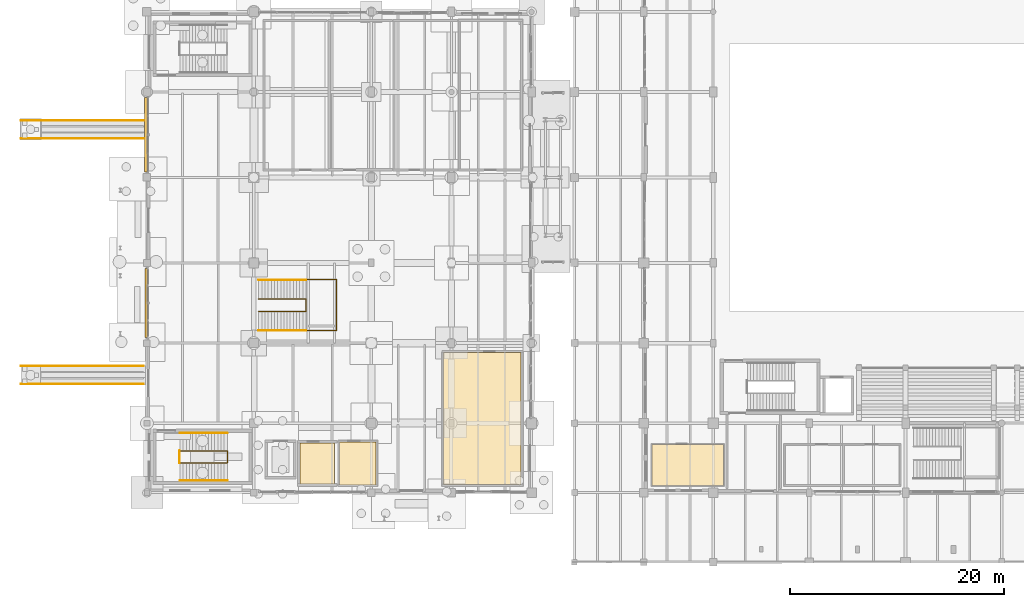
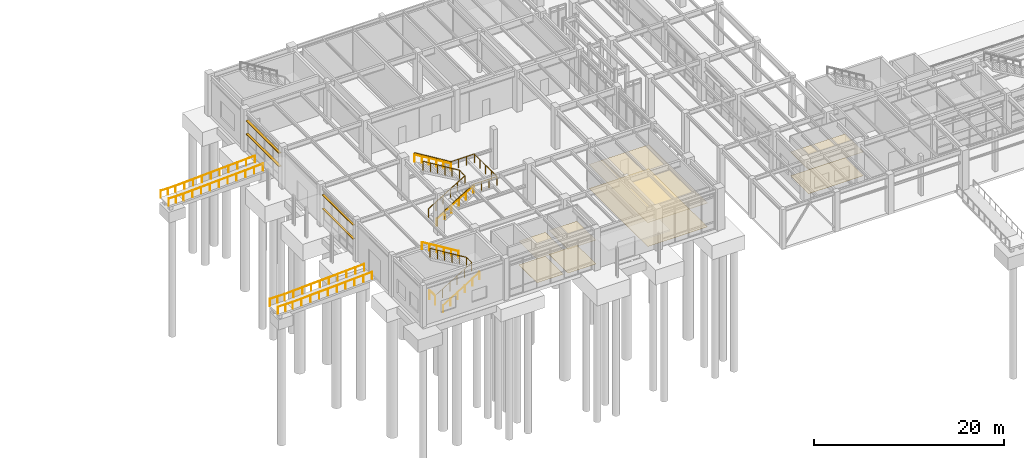
# One storey, part 194 of 203: 12 railings, 8 coverings, 4 shading devices.
"""IFC4 building model written with IfcOpenShell, lengths in metres."""

from ifc_helpers import new_model, si_unit, direction, frame, origin, origin_2d, place, context, subcontext, project, spatial, polyline, rectangle, circle, outline, extrude, material, layer, layer_set, type_object, element, save


model = new_model("IFC4")

# Units and contexts
model_context = context("Model", 3, precision=1e-05, world=origin(), true_north=direction((0.0, 1.0)))
body_context = subcontext(model_context, "Body", "Model", "MODEL_VIEW")
ifc_project = project(units=[si_unit("LENGTHUNIT", "METRE"), si_unit("AREAUNIT", "SQUARE_METRE"), si_unit("VOLUMEUNIT", "CUBIC_METRE"), si_unit("PLANEANGLEUNIT", "RADIAN"), si_unit("MASSUNIT", "GRAM", prefix="KILO"), si_unit("THERMODYNAMICTEMPERATUREUNIT", "KELVIN"), si_unit("POWERUNIT", "WATT")], contexts=[model_context])

# Site, building, storey
site_placement = place(None, origin())
site = spatial("IfcSite", under=ifc_project, at=site_placement, CompositionType="ELEMENT")
building_placement = place(site_placement, origin())
building = spatial("IfcBuilding", under=site, at=building_placement, Name="Tepalcoro Natatorium and Aquatics Centre", CompositionType="ELEMENT")
storey_placement = place(building_placement, origin())
storey = spatial("IfcBuildingStorey", under=building, at=storey_placement, Name="L00", CompositionType="ELEMENT", Elevation=0.0)

# Coverings
ifc_material_1 = material(Name="Perforated Corrosion-Resistant Acoustic Aluminium Baffle Ceiling", Category="aluminium")
ifc_layer_1 = layer(ifc_material_1, 0.044921875)
ifc_layer_set_1 = layer_set([ifc_layer_1], Name="Perforated Corrosion-Resistant Acoustic Aluminium Baffle Ceiling")
covering_type_1 = type_object("IfcCoveringType", Name="CL_BAFFLE_120", PredefinedType="CEILING", material=ifc_layer_set_1)
covering_1_placement = place(storey_placement, frame((0.0, 0.0, 3.050048828125)))
element("IfcCovering", 1, at=covering_1_placement, inside=storey, type_object=covering_type_1, Name="Aquatics Retail Pro-Shop Suspended Ceiling", PredefinedType="CEILING", context=body_context, shape_type="SweptSolid", body=[
    extrude(outline(polyline([(27.77001953125, 7.27001953125), (27.77001953125, 19.6298828125), (35.030029296875, 19.6298828125), (35.030029296875, 7.27001953125), (27.77001953125, 7.27001953125)])), origin(), (0.0, 0.0, 1.0), 0.044921875),
])
ifc_material_2 = material(Name="Moisture-Resistant Acoustic Gypsum Drywall on Cold-Formed Metal Studs")
ifc_layer_2 = layer(ifc_material_2, 0.030029296875)
ifc_layer_set_2 = layer_set([ifc_layer_2], Name="Moisture-Resistant Acoustic Gypsum Drywall on Cold-Formed Metal Studs")
covering_type_2 = type_object("IfcCoveringType", Name="CL_GYPSUM_30", PredefinedType="CEILING", material=ifc_layer_set_2)
covering_2_placement = place(storey_placement, frame((0.0, 0.0, 3.050048828125)))
element("IfcCovering", 2, at=covering_2_placement, inside=storey, type_object=covering_type_2, Name="Fire Command Room Suspended Ceiling", PredefinedType="CEILING", context=body_context, shape_type="SweptSolid", body=[
    extrude(outline(polyline([(14.3349609375, 7.3349609375), (14.3349609375, 11.1650390625), (17.56494140625, 11.1650390625), (17.56494140625, 7.3349609375), (14.3349609375, 7.3349609375)])), origin(), (0.0, 0.0, 1.0), 0.030029296875),
])
ifc_layer_3 = layer(ifc_material_1, 0.0400390625)
ifc_layer_set_3 = layer_set([ifc_layer_3], Name="Perforated Corrosion-Resistant Acoustic Aluminium Baffle Ceiling")
covering_type_3 = type_object("IfcCoveringType", Name="CL_PERF_AL_40", PredefinedType="CEILING", material=ifc_layer_set_3)
covering_3_placement = place(storey_placement, frame((0.0, 0.0, 3.050048828125)))
element("IfcCovering", 3, at=covering_3_placement, inside=storey, type_object=covering_type_3, Name="World Aquatics Swimmer Call Room & Ready Suite Suspended Ceiling", PredefinedType="CEILING", context=body_context, shape_type="SweptSolid", body=[
    extrude(outline(polyline([(47.2900390625, 7.18994140625), (47.2900390625, 11.010009765625), (53.9599609375, 11.010009765625), (53.9599609375, 7.18994140625), (47.2900390625, 7.18994140625)])), origin(), (0.0, 0.0, 1.0), 0.0400390625),
])
covering_4_placement = place(storey_placement, frame((0.0, 0.0, 3.050048828125)))
element("IfcCovering", 4, at=covering_4_placement, inside=storey, type_object=covering_type_3, Name="Civic Box Office, Accreditation & Reception Suspended Ceiling", PredefinedType="CEILING", context=body_context, shape_type="SweptSolid", body=[
    extrude(outline(polyline([(18.0400390625, 7.239990234375), (18.0400390625, 11.260009765625), (21.4599609375, 11.260009765625), (21.4599609375, 7.239990234375), (18.0400390625, 7.239990234375)])), origin(), (0.0, 0.0, 1.0), 0.0400390625),
])
ifc_material_3 = material(Name="Shock-Absorbing Vulcanised Athletic Rubber Flooring")
ifc_layer_4 = layer(ifc_material_3, 0.010009765625)
ifc_layer_set_4 = layer_set([ifc_layer_4], Name="Shock-Absorbing Vulcanised Athletic Rubber Flooring")
covering_type_4 = type_object("IfcCoveringType", Name="FL_CARPET_10", PredefinedType="FLOORING", material=ifc_layer_set_4)
covering_5_placement = place(storey_placement, origin())
element("IfcCovering", 5, at=covering_5_placement, inside=storey, type_object=covering_type_4, Name="Civic Box Office, Accreditation & Reception Floor Finish", PredefinedType="FLOORING", context=body_context, shape_type="SweptSolid", body=[
    extrude(outline(polyline([(18.0400390625, 7.239990234375), (18.0400390625, 11.260009765625), (21.4599609375, 11.260009765625), (21.4599609375, 7.239990234375), (18.0400390625, 7.239990234375)])), origin(), (0.0, 0.0, 1.0), 0.010009765625),
])
ifc_material_4 = material(Name="Slip-Resistant Porcelain Aquatic Deck Tile")
ifc_layer_5 = layer(ifc_material_4, 0.02197265625)
ifc_layer_set_5 = layer_set([ifc_layer_5], Name="Slip-Resistant Porcelain Aquatic Deck Tile")
covering_type_5 = type_object("IfcCoveringType", Name="FL_DECK_TILE_22", PredefinedType="FLOORING", material=ifc_layer_set_5)
covering_6_placement = place(storey_placement, origin())
element("IfcCovering", 6, at=covering_6_placement, inside=storey, type_object=covering_type_5, Name="World Aquatics Swimmer Call Room & Ready Suite Floor Finish", PredefinedType="FLOORING", context=body_context, shape_type="SweptSolid", body=[
    extrude(outline(polyline([(47.2900390625, 7.18994140625), (47.2900390625, 11.010009765625), (53.9599609375, 11.010009765625), (53.9599609375, 7.18994140625), (47.2900390625, 7.18994140625)])), origin(), (0.0, 0.0, 1.0), 0.02197265625),
])
ifc_material_5 = material(Name="Chemical-Resistant Quartz-Broadcast Epoxy Flooring")
ifc_layer_6 = layer(ifc_material_5, 0.008056640625)
ifc_layer_set_6 = layer_set([ifc_layer_6], Name="Chemical-Resistant Quartz-Broadcast Epoxy Flooring")
covering_type_6 = type_object("IfcCoveringType", Name="FL_EPOXY_8", PredefinedType="FLOORING", material=ifc_layer_set_6)
covering_7_placement = place(storey_placement, origin())
element("IfcCovering", 7, at=covering_7_placement, inside=storey, type_object=covering_type_6, Name="Fire Command Room Floor Finish", PredefinedType="FLOORING", context=body_context, shape_type="SweptSolid", body=[
    extrude(outline(polyline([(14.3349609375, 7.3349609375), (14.3349609375, 11.1650390625), (17.56494140625, 11.1650390625), (17.56494140625, 7.3349609375), (14.3349609375, 7.3349609375)])), origin(), (0.0, 0.0, 1.0), 0.008056640625),
])
ifc_layer_7 = layer(ifc_material_3, 0.011962890625)
ifc_layer_set_7 = layer_set([ifc_layer_7], Name="Shock-Absorbing Vulcanised Athletic Rubber Flooring")
covering_type_7 = type_object("IfcCoveringType", Name="FL_RUBBER_12", PredefinedType="FLOORING", material=ifc_layer_set_7)
covering_8_placement = place(storey_placement, origin())
element("IfcCovering", 8, at=covering_8_placement, inside=storey, type_object=covering_type_7, Name="Aquatics Retail Pro-Shop Floor Finish", PredefinedType="FLOORING", context=body_context, shape_type="SweptSolid", body=[
    extrude(outline(polyline([(27.77001953125, 7.27001953125), (27.77001953125, 19.6298828125), (35.030029296875, 19.6298828125), (35.030029296875, 7.27001953125), (27.77001953125, 7.27001953125)])), origin(), (0.0, 0.0, 1.0), 0.011962890625),
])

# Railings
ifc_material_6 = material(Name="Bronze-Anodised Extruded Aluminium Alloy EN AW-6063 T6", Category="aluminium")
railing_type_1 = type_object("IfcRailingType", Name="RL_HAND_900_BRZ", PredefinedType="HANDRAIL", material=ifc_material_6)
railing_1_placement = place(storey_placement, frame((-11.800048828125, 39.659912109375, -0.47998046875)))
element("IfcRailing", 9, at=railing_1_placement, inside=storey, type_object=railing_type_1, Name="RMP02 Accessible Ramp Handrail L", PredefinedType="HANDRAIL", context=body_context, shape_type="SweptSolid", body=[
    extrude(circle(Radius=0.02392578125, at=origin_2d()), frame((0.0, 0.0, 0.8759765625), z_axis=(1.0, 0.0, 0.0), x_axis=(0.0, 1.0, 0.0)), (0.0, 0.0, 1.0), 1.800048828125),
    extrude(circle(Radius=0.02392578125, at=origin_2d()), frame((1.800048828125, 0.0, 0.8759765625), z_axis=(0.998770383715, 0.0, 0.049575403312), x_axis=(0.0, 1.0, 0.0)), (0.0, 0.0, 1.0), 9.681884765625),
    extrude(circle(Radius=0.02099609375, at=origin_2d()), origin(), (0.0, 0.0, 1.0), 0.851806640625),
    extrude(circle(Radius=0.02099609375, at=origin_2d()), frame((0.89990234375, 0.0, 0.0)), (0.0, 0.0, 1.0), 0.851806640625),
    extrude(circle(Radius=0.02099609375, at=origin_2d()), frame((1.800048828125, 0.0, 0.0)), (0.0, 0.0, 1.0), 0.851806640625),
    extrude(circle(Radius=0.02099609375, at=origin_2d()), frame((2.87451171875, 0.0, 0.05322265625)), (0.0, 0.0, 1.0), 0.851806640625),
    extrude(circle(Radius=0.02099609375, at=origin_2d()), frame((3.948974609375, 0.0, 0.106689453125)), (0.0, 0.0, 1.0), 0.851806640625),
    extrude(circle(Radius=0.02099609375, at=origin_2d()), frame((5.0234375, 0.0, 0.159912109375)), (0.0, 0.0, 1.0), 0.851806640625),
    extrude(circle(Radius=0.02099609375, at=origin_2d()), frame((6.097900390625, 0.0, 0.21337890625)), (0.0, 0.0, 1.0), 0.851806640625),
    extrude(circle(Radius=0.02099609375, at=origin_2d()), frame((7.172119140625, 0.0, 0.2666015625)), (0.0, 0.0, 1.0), 0.851806640625),
    extrude(circle(Radius=0.02099609375, at=origin_2d()), frame((8.24658203125, 0.0, 0.320068359375)), (0.0, 0.0, 1.0), 0.851806640625),
    extrude(circle(Radius=0.02099609375, at=origin_2d()), frame((9.321044921875, 0.0, 0.373291015625)), (0.0, 0.0, 1.0), 0.851806640625),
    extrude(circle(Radius=0.02099609375, at=origin_2d()), frame((10.3955078125, 0.0, 0.4267578125)), (0.0, 0.0, 1.0), 0.851806640625),
    extrude(circle(Radius=0.02099609375, at=origin_2d()), frame((11.469970703125, 0.0, 0.47998046875)), (0.0, 0.0, 1.0), 0.851806640625),
])
railing_2_placement = place(storey_placement, frame((-11.800048828125, 41.340087890625, -0.47998046875)))
element("IfcRailing", 10, at=railing_2_placement, inside=storey, type_object=railing_type_1, Name="RMP02 Accessible Ramp Handrail R", PredefinedType="HANDRAIL", context=body_context, shape_type="SweptSolid", body=[
    extrude(circle(Radius=0.02392578125, at=origin_2d()), frame((0.0, 0.0, 0.8759765625), z_axis=(1.0, 0.0, 0.0), x_axis=(0.0, 1.0, 0.0)), (0.0, 0.0, 1.0), 1.800048828125),
    extrude(circle(Radius=0.02392578125, at=origin_2d()), frame((1.800048828125, 0.0, 0.8759765625), z_axis=(0.998770383715, 0.0, 0.049575403312), x_axis=(0.0, 1.0, 0.0)), (0.0, 0.0, 1.0), 9.681884765625),
    extrude(circle(Radius=0.02099609375, at=origin_2d()), origin(), (0.0, 0.0, 1.0), 0.851806640625),
    extrude(circle(Radius=0.02099609375, at=origin_2d()), frame((0.89990234375, 0.0, 0.0)), (0.0, 0.0, 1.0), 0.851806640625),
    extrude(circle(Radius=0.02099609375, at=origin_2d()), frame((1.800048828125, 0.0, 0.0)), (0.0, 0.0, 1.0), 0.851806640625),
    extrude(circle(Radius=0.02099609375, at=origin_2d()), frame((2.87451171875, 0.0, 0.05322265625)), (0.0, 0.0, 1.0), 0.851806640625),
    extrude(circle(Radius=0.02099609375, at=origin_2d()), frame((3.948974609375, 0.0, 0.106689453125)), (0.0, 0.0, 1.0), 0.851806640625),
    extrude(circle(Radius=0.02099609375, at=origin_2d()), frame((5.0234375, 0.0, 0.159912109375)), (0.0, 0.0, 1.0), 0.851806640625),
    extrude(circle(Radius=0.02099609375, at=origin_2d()), frame((6.097900390625, 0.0, 0.21337890625)), (0.0, 0.0, 1.0), 0.851806640625),
    extrude(circle(Radius=0.02099609375, at=origin_2d()), frame((7.172119140625, 0.0, 0.2666015625)), (0.0, 0.0, 1.0), 0.851806640625),
    extrude(circle(Radius=0.02099609375, at=origin_2d()), frame((8.24658203125, 0.0, 0.320068359375)), (0.0, 0.0, 1.0), 0.851806640625),
    extrude(circle(Radius=0.02099609375, at=origin_2d()), frame((9.321044921875, 0.0, 0.373291015625)), (0.0, 0.0, 1.0), 0.851806640625),
    extrude(circle(Radius=0.02099609375, at=origin_2d()), frame((10.3955078125, 0.0, 0.4267578125)), (0.0, 0.0, 1.0), 0.851806640625),
    extrude(circle(Radius=0.02099609375, at=origin_2d()), frame((11.469970703125, 0.0, 0.47998046875)), (0.0, 0.0, 1.0), 0.851806640625),
])
ifc_material_7 = material(Name="Marine-Grade Brushed Stainless Steel AISI 316L", Category="steel")
railing_type_2 = type_object("IfcRailingType", Name="RL_HAND_920_SS", PredefinedType="HANDRAIL", material=ifc_material_7)
railing_3_placement = place(storey_placement, frame((3.10009765625, 7.6298828125, 0.0)))
element("IfcRailing", 11, at=railing_3_placement, inside=storey, type_object=railing_type_2, Name="ST05-L00 Wall Handrail F1", PredefinedType="HANDRAIL", context=body_context, shape_type="SweptSolid", body=[
    extrude(circle(Radius=0.02392578125, at=origin_2d()), frame((0.0, 0.0, 0.89599609375), z_axis=(0.853633246166, 0.0, 0.520874534835), x_axis=(0.0, 1.0, 0.0)), (0.0, 0.0, 1.0), 5.18359375),
    extrude(circle(Radius=0.02099609375, at=origin_2d()), origin(), (0.0, 0.0, 1.0), 0.871826171875),
    extrude(circle(Radius=0.02099609375, at=origin_2d()), frame((0.885009765625, 0.0, 0.5400390625)), (0.0, 0.0, 1.0), 0.871826171875),
    extrude(circle(Radius=0.02099609375, at=origin_2d()), frame((1.77001953125, 0.0, 1.080078125)), (0.0, 0.0, 1.0), 0.871826171875),
    extrude(circle(Radius=0.02099609375, at=origin_2d()), frame((2.65478515625, 0.0, 1.619873046875)), (0.0, 0.0, 1.0), 0.871826171875),
    extrude(circle(Radius=0.02099609375, at=origin_2d()), frame((3.539794921875, 0.0, 2.159912109375)), (0.0, 0.0, 1.0), 0.871826171875),
    extrude(circle(Radius=0.02099609375, at=origin_2d()), frame((4.4248046875, 0.0, 2.699951171875)), (0.0, 0.0, 1.0), 0.871826171875),
])
railing_4_placement = place(storey_placement, frame((7.52490234375, 12.070068359375, 2.699951171875)))
element("IfcRailing", 12, at=railing_4_placement, inside=storey, type_object=railing_type_2, Name="ST05-L00 Wall Handrail F2", PredefinedType="HANDRAIL", context=body_context, shape_type="SweptSolid", body=[
    extrude(circle(Radius=0.02392578125, at=origin_2d()), frame((0.0, 0.0, 0.89599609375), z_axis=(-0.853633246166, 0.0, 0.520874534835), x_axis=(0.0, -1.0, 0.0)), (0.0, 0.0, 1.0), 5.18359375),
    extrude(circle(Radius=0.02099609375, at=origin_2d()), origin(), (0.0, 0.0, 1.0), 0.871826171875),
    extrude(circle(Radius=0.02099609375, at=origin_2d()), frame((-0.885009765625, 0.0, 0.5400390625)), (0.0, 0.0, 1.0), 0.871826171875),
    extrude(circle(Radius=0.02099609375, at=origin_2d()), frame((-1.77001953125, 0.0, 1.080078125)), (0.0, 0.0, 1.0), 0.871826171875),
    extrude(circle(Radius=0.02099609375, at=origin_2d()), frame((-2.65478515625, 0.0, 1.619873046875)), (0.0, 0.0, 1.0), 0.871826171875),
    extrude(circle(Radius=0.02099609375, at=origin_2d()), frame((-3.539794921875, 0.0, 2.159912109375)), (0.0, 0.0, 1.0), 0.871826171875),
    extrude(circle(Radius=0.02099609375, at=origin_2d()), frame((-4.4248046875, 0.0, 2.699951171875)), (0.0, 0.0, 1.0), 0.871826171875),
])
railing_5_placement = place(storey_placement, frame((10.4599609375, 21.679931640625, 0.0)))
element("IfcRailing", 13, at=railing_5_placement, inside=storey, type_object=railing_type_2, Name="ST20 Wall Handrail F1", PredefinedType="HANDRAIL", context=body_context, shape_type="SweptSolid", body=[
    extrude(circle(Radius=0.02392578125, at=origin_2d()), frame((0.0, 0.0, 0.89599609375), z_axis=(0.853646024003, 0.0, 0.520853593349), x_axis=(0.0, 1.0, 0.0)), (0.0, 0.0, 1.0), 5.18359375),
    extrude(circle(Radius=0.02099609375, at=origin_2d()), origin(), (0.0, 0.0, 1.0), 0.871826171875),
    extrude(circle(Radius=0.02099609375, at=origin_2d()), frame((0.885009765625, 0.0, 0.5400390625)), (0.0, 0.0, 1.0), 0.871826171875),
    extrude(circle(Radius=0.02099609375, at=origin_2d()), frame((1.77001953125, 0.0, 1.080078125)), (0.0, 0.0, 1.0), 0.871826171875),
    extrude(circle(Radius=0.02099609375, at=origin_2d()), frame((2.655029296875, 0.0, 1.619873046875)), (0.0, 0.0, 1.0), 0.871826171875),
    extrude(circle(Radius=0.02099609375, at=origin_2d()), frame((3.5400390625, 0.0, 2.159912109375)), (0.0, 0.0, 1.0), 0.871826171875),
    extrude(circle(Radius=0.02099609375, at=origin_2d()), frame((4.425048828125, 0.0, 2.699951171875)), (0.0, 0.0, 1.0), 0.871826171875),
])
railing_6_placement = place(storey_placement, frame((14.885009765625, 26.419921875, 2.699951171875)))
element("IfcRailing", 14, at=railing_6_placement, inside=storey, type_object=railing_type_2, Name="ST20 Wall Handrail F2", PredefinedType="HANDRAIL", context=body_context, shape_type="SweptSolid", body=[
    extrude(circle(Radius=0.02392578125, at=origin_2d()), frame((0.0, 0.0, 0.89599609375), z_axis=(-0.853646024003, 0.0, 0.520853593349), x_axis=(0.0, -1.0, 0.0)), (0.0, 0.0, 1.0), 5.18359375),
    extrude(circle(Radius=0.02099609375, at=origin_2d()), origin(), (0.0, 0.0, 1.0), 0.871826171875),
    extrude(circle(Radius=0.02099609375, at=origin_2d()), frame((-0.885009765625, 0.0, 0.5400390625)), (0.0, 0.0, 1.0), 0.871826171875),
    extrude(circle(Radius=0.02099609375, at=origin_2d()), frame((-1.77001953125, 0.0, 1.080078125)), (0.0, 0.0, 1.0), 0.871826171875),
    extrude(circle(Radius=0.02099609375, at=origin_2d()), frame((-2.655029296875, 0.0, 1.619873046875)), (0.0, 0.0, 1.0), 0.871826171875),
    extrude(circle(Radius=0.02099609375, at=origin_2d()), frame((-3.5400390625, 0.0, 2.159912109375)), (0.0, 0.0, 1.0), 0.871826171875),
    extrude(circle(Radius=0.02099609375, at=origin_2d()), frame((-4.425048828125, 0.0, 2.699951171875)), (0.0, 0.0, 1.0), 0.871826171875),
])
railing_7_placement = place(storey_placement, frame((-11.800048828125, 16.659912109375, -0.47998046875)))
element("IfcRailing", 15, at=railing_7_placement, inside=storey, type_object=railing_type_2, Name="RMP01 Accessible Ramp Handrail L", PredefinedType="HANDRAIL", context=body_context, shape_type="SweptSolid", body=[
    extrude(circle(Radius=0.02392578125, at=origin_2d()), frame((0.0, 0.0, 0.89599609375), z_axis=(1.0, 0.0, 0.0), x_axis=(0.0, 1.0, 0.0)), (0.0, 0.0, 1.0), 1.800048828125),
    extrude(circle(Radius=0.02392578125, at=origin_2d()), frame((1.800048828125, 0.0, 0.89599609375), z_axis=(0.998770383715, 0.0, 0.049575403312), x_axis=(0.0, 1.0, 0.0)), (0.0, 0.0, 1.0), 9.681884765625),
    extrude(circle(Radius=0.02099609375, at=origin_2d()), origin(), (0.0, 0.0, 1.0), 0.871826171875),
    extrude(circle(Radius=0.02099609375, at=origin_2d()), frame((0.89990234375, 0.0, 0.0)), (0.0, 0.0, 1.0), 0.871826171875),
    extrude(circle(Radius=0.02099609375, at=origin_2d()), frame((1.800048828125, 0.0, 0.0)), (0.0, 0.0, 1.0), 0.871826171875),
    extrude(circle(Radius=0.02099609375, at=origin_2d()), frame((2.87451171875, 0.0, 0.05322265625)), (0.0, 0.0, 1.0), 0.871826171875),
    extrude(circle(Radius=0.02099609375, at=origin_2d()), frame((3.948974609375, 0.0, 0.106689453125)), (0.0, 0.0, 1.0), 0.871826171875),
    extrude(circle(Radius=0.02099609375, at=origin_2d()), frame((5.0234375, 0.0, 0.159912109375)), (0.0, 0.0, 1.0), 0.871826171875),
    extrude(circle(Radius=0.02099609375, at=origin_2d()), frame((6.097900390625, 0.0, 0.21337890625)), (0.0, 0.0, 1.0), 0.871826171875),
    extrude(circle(Radius=0.02099609375, at=origin_2d()), frame((7.172119140625, 0.0, 0.2666015625)), (0.0, 0.0, 1.0), 0.871826171875),
    extrude(circle(Radius=0.02099609375, at=origin_2d()), frame((8.24658203125, 0.0, 0.320068359375)), (0.0, 0.0, 1.0), 0.871826171875),
    extrude(circle(Radius=0.02099609375, at=origin_2d()), frame((9.321044921875, 0.0, 0.373291015625)), (0.0, 0.0, 1.0), 0.871826171875),
    extrude(circle(Radius=0.02099609375, at=origin_2d()), frame((10.3955078125, 0.0, 0.4267578125)), (0.0, 0.0, 1.0), 0.871826171875),
    extrude(circle(Radius=0.02099609375, at=origin_2d()), frame((11.469970703125, 0.0, 0.47998046875)), (0.0, 0.0, 1.0), 0.871826171875),
])
railing_8_placement = place(storey_placement, frame((-11.800048828125, 18.340087890625, -0.47998046875)))
element("IfcRailing", 16, at=railing_8_placement, inside=storey, type_object=railing_type_2, Name="RMP01 Accessible Ramp Handrail R", PredefinedType="HANDRAIL", context=body_context, shape_type="SweptSolid", body=[
    extrude(circle(Radius=0.02392578125, at=origin_2d()), frame((0.0, 0.0, 0.89599609375), z_axis=(1.0, 0.0, 0.0), x_axis=(0.0, 1.0, 0.0)), (0.0, 0.0, 1.0), 1.800048828125),
    extrude(circle(Radius=0.02392578125, at=origin_2d()), frame((1.800048828125, 0.0, 0.89599609375), z_axis=(0.998770383715, 0.0, 0.049575403312), x_axis=(0.0, 1.0, 0.0)), (0.0, 0.0, 1.0), 9.681884765625),
    extrude(circle(Radius=0.02099609375, at=origin_2d()), origin(), (0.0, 0.0, 1.0), 0.871826171875),
    extrude(circle(Radius=0.02099609375, at=origin_2d()), frame((0.89990234375, 0.0, 0.0)), (0.0, 0.0, 1.0), 0.871826171875),
    extrude(circle(Radius=0.02099609375, at=origin_2d()), frame((1.800048828125, 0.0, 0.0)), (0.0, 0.0, 1.0), 0.871826171875),
    extrude(circle(Radius=0.02099609375, at=origin_2d()), frame((2.87451171875, 0.0, 0.05322265625)), (0.0, 0.0, 1.0), 0.871826171875),
    extrude(circle(Radius=0.02099609375, at=origin_2d()), frame((3.948974609375, 0.0, 0.106689453125)), (0.0, 0.0, 1.0), 0.871826171875),
    extrude(circle(Radius=0.02099609375, at=origin_2d()), frame((5.0234375, 0.0, 0.159912109375)), (0.0, 0.0, 1.0), 0.871826171875),
    extrude(circle(Radius=0.02099609375, at=origin_2d()), frame((6.097900390625, 0.0, 0.21337890625)), (0.0, 0.0, 1.0), 0.871826171875),
    extrude(circle(Radius=0.02099609375, at=origin_2d()), frame((7.172119140625, 0.0, 0.2666015625)), (0.0, 0.0, 1.0), 0.871826171875),
    extrude(circle(Radius=0.02099609375, at=origin_2d()), frame((8.24658203125, 0.0, 0.320068359375)), (0.0, 0.0, 1.0), 0.871826171875),
    extrude(circle(Radius=0.02099609375, at=origin_2d()), frame((9.321044921875, 0.0, 0.373291015625)), (0.0, 0.0, 1.0), 0.871826171875),
    extrude(circle(Radius=0.02099609375, at=origin_2d()), frame((10.3955078125, 0.0, 0.4267578125)), (0.0, 0.0, 1.0), 0.871826171875),
    extrude(circle(Radius=0.02099609375, at=origin_2d()), frame((11.469970703125, 0.0, 0.47998046875)), (0.0, 0.0, 1.0), 0.871826171875),
])
railing_type_3 = type_object("IfcRailingType", Name="RL_PERF_1100", PredefinedType="GUARDRAIL", material=ifc_material_7)
railing_9_placement = place(storey_placement, frame((3.10009765625, 9.300048828125, 0.0)))
element("IfcRailing", 17, at=railing_9_placement, inside=storey, type_object=railing_type_3, Name="ST05-L00 Inner Stairwell Guardrail", PredefinedType="GUARDRAIL", context=body_context, shape_type="SweptSolid", body=[
    extrude(circle(Radius=0.02392578125, at=origin_2d()), frame((0.0, 0.0, 1.11572265625), z_axis=(0.853633246166, 0.0, 0.520874534835), x_axis=(0.0, 1.0, 0.0)), (0.0, 0.0, 1.0), 5.18359375),
    extrude(circle(Radius=0.02392578125, at=origin_2d()), frame((4.4248046875, 0.0, 3.81591796875), z_axis=(0.0, 1.0, 0.0), x_axis=(-1.0, 0.0, 0.0)), (0.0, 0.0, 1.0), 1.099853515625),
    extrude(circle(Radius=0.02392578125, at=origin_2d()), frame((4.4248046875, 1.099853515625, 3.81591796875), z_axis=(-0.853633246166, 0.0, 0.520874534835), x_axis=(0.0, -1.0, 0.0)), (0.0, 0.0, 1.0), 5.18359375),
    extrude(circle(Radius=0.02099609375, at=origin_2d()), origin(), (0.0, 0.0, 1.0), 1.091796875),
    extrude(circle(Radius=0.02099609375, at=origin_2d()), frame((0.885009765625, 0.0, 0.5400390625)), (0.0, 0.0, 1.0), 1.091796875),
    extrude(circle(Radius=0.02099609375, at=origin_2d()), frame((1.77001953125, 0.0, 1.080078125)), (0.0, 0.0, 1.0), 1.091796875),
    extrude(circle(Radius=0.02099609375, at=origin_2d()), frame((2.65478515625, 0.0, 1.619873046875)), (0.0, 0.0, 1.0), 1.091796875),
    extrude(circle(Radius=0.02099609375, at=origin_2d()), frame((3.539794921875, 0.0, 2.159912109375)), (0.0, 0.0, 1.0), 1.091796875),
    extrude(circle(Radius=0.02099609375, at=origin_2d()), frame((4.4248046875, 0.0, 2.699951171875)), (0.0, 0.0, 1.0), 1.091796875),
    extrude(circle(Radius=0.02099609375, at=origin_2d()), frame((4.4248046875, 1.099853515625, 2.699951171875)), (0.0, 0.0, 1.0), 1.091796875),
    extrude(circle(Radius=0.02099609375, at=origin_2d()), frame((3.539794921875, 1.099853515625, 3.239990234375)), (0.0, 0.0, 1.0), 1.091796875),
    extrude(circle(Radius=0.02099609375, at=origin_2d()), frame((2.65478515625, 1.099853515625, 3.780029296875)), (0.0, 0.0, 1.0), 1.091796875),
    extrude(circle(Radius=0.02099609375, at=origin_2d()), frame((1.77001953125, 1.099853515625, 4.31982421875)), (0.0, 0.0, 1.0), 1.091796875),
    extrude(circle(Radius=0.02099609375, at=origin_2d()), frame((0.885009765625, 1.099853515625, 4.85986328125)), (0.0, 0.0, 1.0), 1.091796875),
    extrude(circle(Radius=0.02099609375, at=origin_2d()), frame((0.0, 1.099853515625, 5.39990234375)), (0.0, 0.0, 1.0), 1.091796875),
])
railing_10_placement = place(storey_placement, frame((3.070068359375, 9.260009765625, 0.0)))
element("IfcRailing", 18, at=railing_10_placement, inside=storey, type_object=railing_type_3, Name="ST05-L00 Landing Well Slot Guard", PredefinedType="GUARDRAIL", context=body_context, shape_type="SweptSolid", body=[
    extrude(circle(Radius=0.02392578125, at=origin_2d()), frame((0.0, 0.0, 1.11572265625), z_axis=(0.0, 1.0, 0.0), x_axis=(-1.0, 0.0, 0.0)), (0.0, 0.0, 1.0), 1.179931640625),
    extrude(circle(Radius=0.02099609375, at=origin_2d()), origin(), (0.0, 0.0, 1.0), 1.091796875),
    extrude(circle(Radius=0.02099609375, at=origin_2d()), frame((0.0, 1.179931640625, 0.0)), (0.0, 0.0, 1.0), 1.091796875),
])
railing_11_placement = place(storey_placement, frame((10.4599609375, 23.469970703125, 0.0)))
element("IfcRailing", 19, at=railing_11_placement, inside=storey, type_object=railing_type_3, Name="ST20 Inner Stairwell Guardrail", PredefinedType="GUARDRAIL", context=body_context, shape_type="SweptSolid", body=[
    extrude(circle(Radius=0.02392578125, at=origin_2d()), frame((0.0, 0.0, 1.11572265625), z_axis=(0.853646024003, 0.0, 0.520853593349), x_axis=(0.0, 1.0, 0.0)), (0.0, 0.0, 1.0), 5.18359375),
    extrude(circle(Radius=0.02392578125, at=origin_2d()), frame((4.425048828125, 0.0, 3.81591796875), z_axis=(0.0, 1.0, 0.0), x_axis=(-1.0, 0.0, 0.0)), (0.0, 0.0, 1.0), 1.159912109375),
    extrude(circle(Radius=0.02392578125, at=origin_2d()), frame((4.425048828125, 1.159912109375, 3.81591796875), z_axis=(-0.853646024003, 0.0, 0.520853593349), x_axis=(0.0, -1.0, 0.0)), (0.0, 0.0, 1.0), 5.18359375),
    extrude(circle(Radius=0.02099609375, at=origin_2d()), origin(), (0.0, 0.0, 1.0), 1.091796875),
    extrude(circle(Radius=0.02099609375, at=origin_2d()), frame((0.885009765625, 0.0, 0.5400390625)), (0.0, 0.0, 1.0), 1.091796875),
    extrude(circle(Radius=0.02099609375, at=origin_2d()), frame((1.77001953125, 0.0, 1.080078125)), (0.0, 0.0, 1.0), 1.091796875),
    extrude(circle(Radius=0.02099609375, at=origin_2d()), frame((2.655029296875, 0.0, 1.619873046875)), (0.0, 0.0, 1.0), 1.091796875),
    extrude(circle(Radius=0.02099609375, at=origin_2d()), frame((3.5400390625, 0.0, 2.159912109375)), (0.0, 0.0, 1.0), 1.091796875),
    extrude(circle(Radius=0.02099609375, at=origin_2d()), frame((4.425048828125, 0.0, 2.699951171875)), (0.0, 0.0, 1.0), 1.091796875),
    extrude(circle(Radius=0.02099609375, at=origin_2d()), frame((4.425048828125, 1.159912109375, 2.699951171875)), (0.0, 0.0, 1.0), 1.091796875),
    extrude(circle(Radius=0.02099609375, at=origin_2d()), frame((3.5400390625, 1.159912109375, 3.239990234375)), (0.0, 0.0, 1.0), 1.091796875),
    extrude(circle(Radius=0.02099609375, at=origin_2d()), frame((2.655029296875, 1.159912109375, 3.780029296875)), (0.0, 0.0, 1.0), 1.091796875),
    extrude(circle(Radius=0.02099609375, at=origin_2d()), frame((1.77001953125, 1.159912109375, 4.31982421875)), (0.0, 0.0, 1.0), 1.091796875),
    extrude(circle(Radius=0.02099609375, at=origin_2d()), frame((0.885009765625, 1.159912109375, 4.85986328125)), (0.0, 0.0, 1.0), 1.091796875),
    extrude(circle(Radius=0.02099609375, at=origin_2d()), frame((0.0, 1.159912109375, 5.39990234375)), (0.0, 0.0, 1.0), 1.091796875),
])
railing_12_placement = place(storey_placement, frame((10.4599609375, 21.659912109375, 0.0)))
element("IfcRailing", 20, at=railing_12_placement, inside=storey, type_object=railing_type_3, Name="ST20 Feature Stair Outer Guardrail", PredefinedType="GUARDRAIL", context=body_context, shape_type="SweptSolid", body=[
    extrude(circle(Radius=0.02392578125, at=origin_2d()), frame((0.0, 0.0, 1.11572265625), z_axis=(0.853646024003, 0.0, 0.520853593349), x_axis=(0.0, 1.0, 0.0)), (0.0, 0.0, 1.0), 5.18359375),
    extrude(circle(Radius=0.02392578125, at=origin_2d()), frame((4.425048828125, 0.0, 3.81591796875), z_axis=(1.0, 0.0, 0.0), x_axis=(0.0, 1.0, 0.0)), (0.0, 0.0, 1.0), 2.85498046875),
    extrude(circle(Radius=0.02392578125, at=origin_2d()), frame((7.280029296875, 0.0, 3.81591796875), z_axis=(0.0, 1.0, 0.0), x_axis=(-1.0, 0.0, 0.0)), (0.0, 0.0, 1.0), 4.780029296875),
    extrude(circle(Radius=0.02392578125, at=origin_2d()), frame((7.280029296875, 4.780029296875, 3.81591796875), z_axis=(-1.0, 0.0, 0.0), x_axis=(0.0, -1.0, 0.0)), (0.0, 0.0, 1.0), 2.85498046875),
    extrude(circle(Radius=0.02392578125, at=origin_2d()), frame((4.425048828125, 4.780029296875, 3.81591796875), z_axis=(-0.853646024003, 0.0, 0.520853593349), x_axis=(0.0, -1.0, 0.0)), (0.0, 0.0, 1.0), 5.18359375),
    extrude(circle(Radius=0.02099609375, at=origin_2d()), origin(), (0.0, 0.0, 1.0), 1.091796875),
    extrude(circle(Radius=0.02099609375, at=origin_2d()), frame((0.885009765625, 0.0, 0.5400390625)), (0.0, 0.0, 1.0), 1.091796875),
    extrude(circle(Radius=0.02099609375, at=origin_2d()), frame((1.77001953125, 0.0, 1.080078125)), (0.0, 0.0, 1.0), 1.091796875),
    extrude(circle(Radius=0.02099609375, at=origin_2d()), frame((2.655029296875, 0.0, 1.619873046875)), (0.0, 0.0, 1.0), 1.091796875),
    extrude(circle(Radius=0.02099609375, at=origin_2d()), frame((3.5400390625, 0.0, 2.159912109375)), (0.0, 0.0, 1.0), 1.091796875),
    extrude(circle(Radius=0.02099609375, at=origin_2d()), frame((4.425048828125, 0.0, 2.699951171875)), (0.0, 0.0, 1.0), 1.091796875),
    extrude(circle(Radius=0.02099609375, at=origin_2d()), frame((5.376708984375, 0.0, 2.699951171875)), (0.0, 0.0, 1.0), 1.091796875),
    extrude(circle(Radius=0.02099609375, at=origin_2d()), frame((6.328369140625, 0.0, 2.699951171875)), (0.0, 0.0, 1.0), 1.091796875),
    extrude(circle(Radius=0.02099609375, at=origin_2d()), frame((7.280029296875, 0.0, 2.699951171875)), (0.0, 0.0, 1.0), 1.091796875),
    extrude(circle(Radius=0.02099609375, at=origin_2d()), frame((7.280029296875, 1.195068359375, 2.699951171875)), (0.0, 0.0, 1.0), 1.091796875),
    extrude(circle(Radius=0.02099609375, at=origin_2d()), frame((7.280029296875, 2.39013671875, 2.699951171875)), (0.0, 0.0, 1.0), 1.091796875),
    extrude(circle(Radius=0.02099609375, at=origin_2d()), frame((7.280029296875, 3.5849609375, 2.699951171875)), (0.0, 0.0, 1.0), 1.091796875),
    extrude(circle(Radius=0.02099609375, at=origin_2d()), frame((7.280029296875, 4.780029296875, 2.699951171875)), (0.0, 0.0, 1.0), 1.091796875),
    extrude(circle(Radius=0.02099609375, at=origin_2d()), frame((6.328369140625, 4.780029296875, 2.699951171875)), (0.0, 0.0, 1.0), 1.091796875),
    extrude(circle(Radius=0.02099609375, at=origin_2d()), frame((5.376708984375, 4.780029296875, 2.699951171875)), (0.0, 0.0, 1.0), 1.091796875),
    extrude(circle(Radius=0.02099609375, at=origin_2d()), frame((4.425048828125, 4.780029296875, 2.699951171875)), (0.0, 0.0, 1.0), 1.091796875),
    extrude(circle(Radius=0.02099609375, at=origin_2d()), frame((3.5400390625, 4.780029296875, 3.239990234375)), (0.0, 0.0, 1.0), 1.091796875),
    extrude(circle(Radius=0.02099609375, at=origin_2d()), frame((2.655029296875, 4.780029296875, 3.780029296875)), (0.0, 0.0, 1.0), 1.091796875),
    extrude(circle(Radius=0.02099609375, at=origin_2d()), frame((1.77001953125, 4.780029296875, 4.31982421875)), (0.0, 0.0, 1.0), 1.091796875),
    extrude(circle(Radius=0.02099609375, at=origin_2d()), frame((0.885009765625, 4.780029296875, 4.85986328125)), (0.0, 0.0, 1.0), 1.091796875),
    extrude(circle(Radius=0.02099609375, at=origin_2d()), frame((0.0, 4.780029296875, 5.39990234375)), (0.0, 0.0, 1.0), 1.091796875),
])

# Shading devices
shading_device_type_1 = type_object("IfcShadingDeviceType", Name="SHD_FIN_BRONZE", PredefinedType="SHUTTER", material=ifc_material_6)
for number, where, z_axis, x_axis, name in (
    (21, (-0.074951171875, 40.0, 2.30224609375), (0.0, 0.0, 1.0), (1.0, 0.0, 0.0), "Solar Shading Brise-Soleil SHD_FIN_BRONZE"),
    (22, (-0.074951171875, 40.0, 4.00390625), (0.0, 0.0, 1.0), (1.0, 0.0, 0.0), "Solar Shading Brise-Soleil SHD_FIN_BRONZE"),
):
    element("IfcShadingDevice", number, at=place(storey_placement, frame(where, z_axis=z_axis, x_axis=x_axis)), inside=storey, type_object=shading_device_type_1, Name=name, PredefinedType="SHUTTER", context=body_context, shape_type="SweptSolid", body=[
        extrude(rectangle(XDim=0.300048828125, YDim=6.9599609375, at=origin_2d()), origin(), (0.0, 0.0, 1.0), 0.080078125),
    ])
shading_device_type_2 = type_object("IfcShadingDeviceType", Name="SHD_LOUVRE_AL", PredefinedType="JALOUSIE", material=ifc_material_6)
for number, where, z_axis, x_axis, name in (
    (23, (-0.044921875, 24.25, 2.357666015625), (0.0, 0.0, 1.0), (1.0, 0.0, 0.0), "Solar Shading Brise-Soleil SHD_LOUVRE_AL"),
    (24, (-0.044921875, 24.25, 4.126953125), (0.0, 0.0, 1.0), (1.0, 0.0, 0.0), "Solar Shading Brise-Soleil SHD_LOUVRE_AL"),
):
    element("IfcShadingDevice", number, at=place(storey_placement, frame(where, z_axis=z_axis, x_axis=x_axis)), inside=storey, type_object=shading_device_type_2, Name=name, PredefinedType="JALOUSIE", context=body_context, shape_type="SweptSolid", body=[
        extrude(rectangle(XDim=0.239990234375, YDim=6.4599609375, at=origin_2d()), origin(), (0.0, 0.0, 1.0), 0.080078125),
    ])

save(model, "model.ifc")
